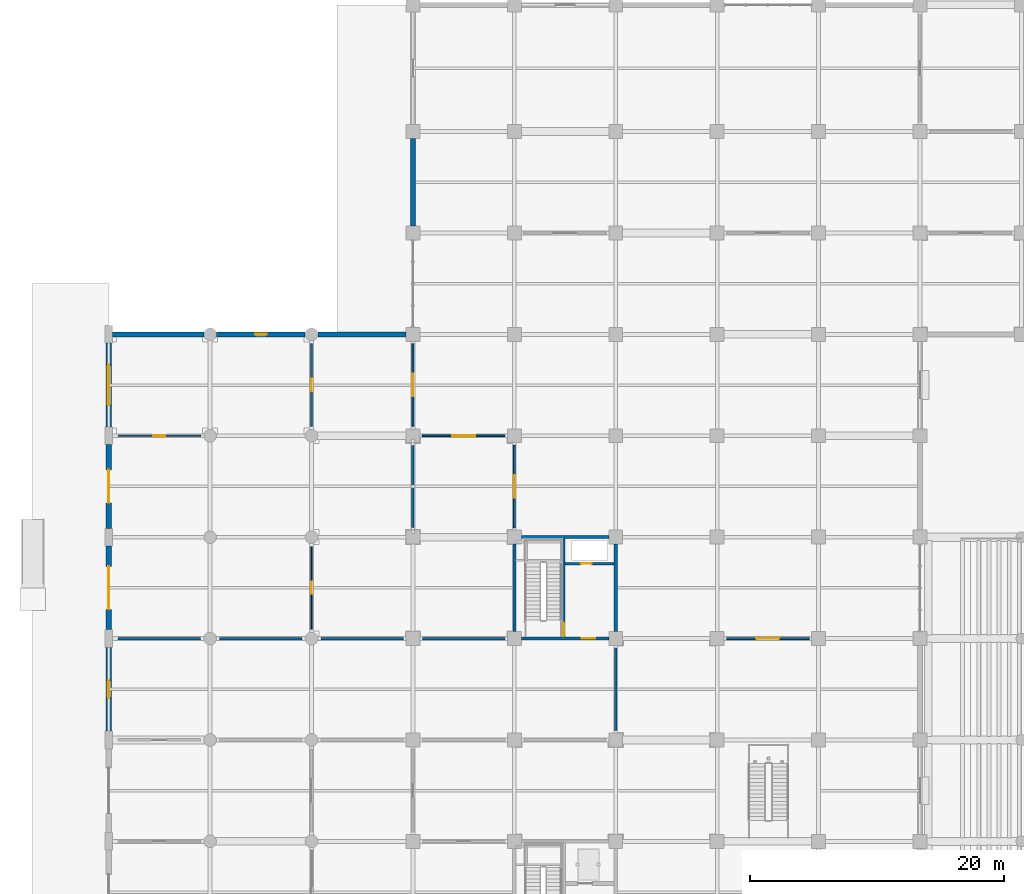
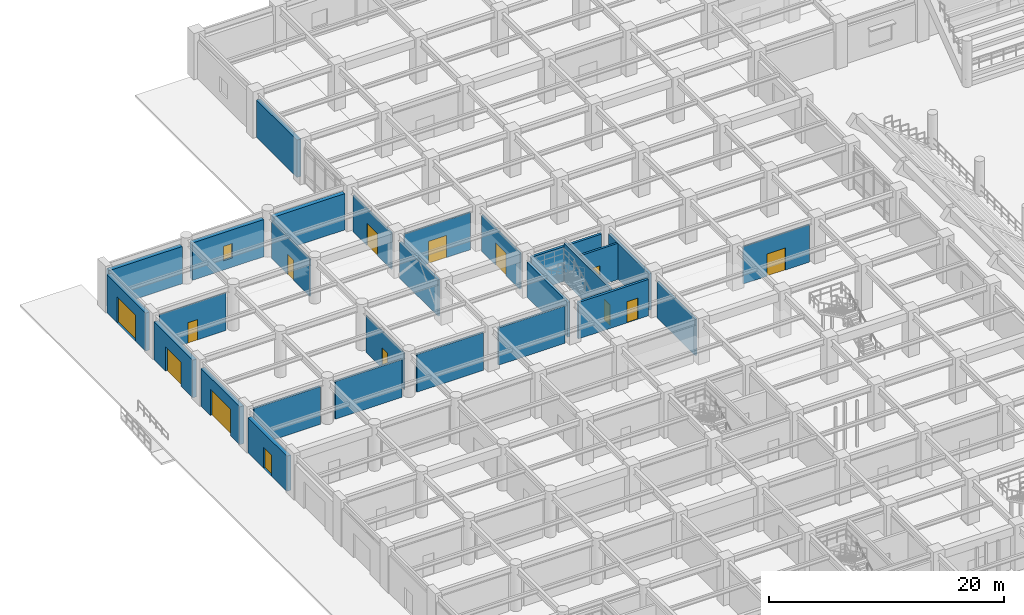
# One storey, part 88 of 125: 27 walls, 14 doors, 1 window, 15 openings.
"""IFC4 building model written with IfcOpenShell, lengths in metres."""

from ifc_helpers import new_model, si_unit, direction, frame, frame_2d, origin, place, context, subcontext, project, spatial, rectangle, extrude, material, layer, layer_set, type_object, element, fill, save


model = new_model("IFC4")

# Units and contexts
model_context = context("Model", 3, precision=1e-05, world=origin(), true_north=direction((0.0, 1.0)))
body_context = subcontext(model_context, "Body", "Model", "MODEL_VIEW")
ifc_project = project(units=[si_unit("LENGTHUNIT", "METRE"), si_unit("AREAUNIT", "SQUARE_METRE"), si_unit("VOLUMEUNIT", "CUBIC_METRE"), si_unit("PLANEANGLEUNIT", "RADIAN"), si_unit("MASSUNIT", "GRAM", prefix="KILO")], contexts=[model_context])

# Site, building, storey
site_placement = place(None, origin())
site = spatial("IfcSite", under=ifc_project, at=site_placement, CompositionType="ELEMENT")
building_placement = place(site_placement, origin())
building = spatial("IfcBuilding", under=site, at=building_placement, Name="Haebicheon Civic Stadium", CompositionType="ELEMENT")
storey_placement = place(building_placement, origin())
storey = spatial("IfcBuildingStorey", under=building, at=storey_placement, Name="L01", CompositionType="ELEMENT", Elevation=0.0)

# Wall, opening, door
ifc_material_1 = material(Name="Concrete C40/50", Category="concrete")
ifc_layer_1 = layer(ifc_material_1, 0.239990234375, Name="Concrete C40/50")
ifc_layer_set_1 = layer_set([ifc_layer_1], Name="Concrete C40/50")
wall_type_1 = type_object("IfcWallType", Name="CW-SHR-240", PredefinedType="SHEAR", material=ifc_layer_set_1)
wall_1_placement = place(storey_placement, frame((32.550048828125, 128.0, 0.0), z_axis=(0.0, 0.0, 1.0), x_axis=(1.0, 0.0, 0.0)))
wall_1 = element("IfcWall", 1, at=wall_1_placement, inside=storey, type_object=wall_type_1, material=ifc_layer_set_1, Name="KC-05 L01 south core shear wall", PredefinedType="SHEAR", context=body_context, shape_type="SweptSolid", body=[
    extrude(rectangle(XDim=6.89990234375, YDim=0.239990234375, at=frame_2d((3.449951171875, 0.0))), origin(), (0.0, 0.0, 1.0), 3.77001953125),
])
opening_1_placement = place(wall_1_placement, frame((4.75, 0.0, 0.0)))
opening_1 = element("IfcOpeningElement", 2, at=opening_1_placement, cuts=wall_1, Name="Opening D-L01-KC-05-LOB", PredefinedType="OPENING", context=body_context, shape_type="SweptSolid", body=[
    extrude(rectangle(XDim=1.10009765625, YDim=2.199951171875, at=frame_2d((0.550048828125, 1.10009765625))), frame((0.0, 0.1298828125, 0.0), z_axis=(0.0, -1.0, 0.0), x_axis=(1.0, 0.0, 0.0)), (0.0, 0.0, 1.0), 0.260009765625),
])
ifc_material_2 = material(Name="Galvanised painted steel SM355", Category="steel")
door_type_1 = type_object("IfcDoorType", Name="ID-FD-1100", OperationType="NOTDEFINED", PredefinedType="DOOR", material=ifc_material_2)
door_1_placement = place(opening_1_placement, origin())
door_1 = element("IfcDoor", 3, at=door_1_placement, inside=storey, type_object=door_type_1, material=ifc_material_2, Name="L01 KC-05 lobby fire door", OperationType="SINGLE_SWING_LEFT", OverallHeight=2.199951171875, OverallWidth=1.10009765625, PredefinedType="DOOR", context=body_context, shape_type="SweptSolid", body=[
    extrude(rectangle(XDim=1.10009765625, YDim=2.199951171875, at=frame_2d((0.550048828125, 1.10009765625))), frame((0.0, 0.02490234375, 0.0), z_axis=(0.0, -1.0, 0.0), x_axis=(1.0, 0.0, 0.0)), (0.0, 0.0, 1.0), 0.050048828125),
])
fill(opening_1, door_1)

# Walls
for number, where, z_axis, x_axis, name in (
    (4, (32.550048828125, 136.0, 0.0), (0.0, 0.0, 1.0), (1.0, 0.0, 0.0), "KC-05 L01 north core shear wall"),
    (5, (32.0, 128.550048828125, 0.0), (0.0, 0.0, 1.0), (0.0, 1.0, 0.0), "KC-05 L01 west core shear wall"),
):
    element("IfcWall", number, at=place(storey_placement, frame(where, z_axis=z_axis, x_axis=x_axis)), inside=storey, type_object=wall_type_1, material=ifc_layer_set_1, Name=name, PredefinedType="SHEAR", context=body_context, shape_type="SweptSolid", body=[
        extrude(rectangle(XDim=6.89990234375, YDim=0.239990234375, at=frame_2d((3.449951171875, 0.0))), origin(), (0.0, 0.0, 1.0), 3.6201171875),
    ])
wall_2_placement = place(storey_placement, frame((40.0, 128.550048828125, 0.0), z_axis=(0.0, 0.0, 1.0), x_axis=(0.0, 1.0, 0.0)))
element("IfcWall", 6, at=wall_2_placement, inside=storey, type_object=wall_type_1, material=ifc_layer_set_1, Name="KC-05 L01 east core shear wall", PredefinedType="SHEAR", context=body_context, shape_type="SweptSolid", body=[
    extrude(rectangle(XDim=6.89990234375, YDim=0.239990234375, at=frame_2d((3.449951171875, 0.0))), origin(), (0.0, 0.0, 1.0), 3.77001953125),
])

# Wall, opening, door
wall_3_placement = place(storey_placement, frame((35.8798828125, 128.1201171875, 0.0), z_axis=(0.0, 0.0, 1.0), x_axis=(0.0, 1.0, 0.0)))
wall_3 = element("IfcWall", 7, at=wall_3_placement, inside=storey, type_object=wall_type_1, material=ifc_layer_set_1, Name="KC-05 L01 stair-lobby dividing shear wall", PredefinedType="SHEAR", context=body_context, shape_type="SweptSolid", body=[
    extrude(rectangle(XDim=7.759765625, YDim=0.239990234375, at=frame_2d((3.8798828125, 0.0))), origin(), (0.0, 0.0, 1.0), 3.969970703125),
])
opening_2_placement = place(wall_3_placement, frame((0.080078125, 0.0, 0.0)))
opening_2 = element("IfcOpeningElement", 8, at=opening_2_placement, cuts=wall_3, Name="Opening D-L01-KC-05-STR", PredefinedType="OPENING", context=body_context, shape_type="SweptSolid", body=[
    extrude(rectangle(XDim=1.050048828125, YDim=2.14990234375, at=frame_2d((0.52490234375, 1.074951171875))), frame((0.0, 0.1298828125, 0.0), z_axis=(0.0, -1.0, 0.0), x_axis=(1.0, 0.0, 0.0)), (0.0, 0.0, 1.0), 0.260009765625),
])
ifc_material_3 = material(Name="Galvanised painted steel SM355", Category="steel")
door_type_2 = type_object("IfcDoorType", Name="ID-FD-1050", OperationType="NOTDEFINED", PredefinedType="DOOR", material=ifc_material_3)
door_2_placement = place(opening_2_placement, origin())
door_2 = element("IfcDoor", 9, at=door_2_placement, inside=storey, type_object=door_type_2, material=ifc_material_3, Name="L01 ST-05 stairwell escape door", OperationType="SINGLE_SWING_RIGHT", OverallHeight=2.14990234375, OverallWidth=1.050048828125, PredefinedType="DOOR", context=body_context, shape_type="SweptSolid", body=[
    extrude(rectangle(XDim=1.050048828125, YDim=2.14990234375, at=frame_2d((0.52490234375, 1.074951171875))), frame((0.0, 0.02490234375, 0.0), z_axis=(0.0, -1.0, 0.0), x_axis=(1.0, 0.0, 0.0)), (0.0, 0.0, 1.0), 0.050048828125),
])
fill(opening_2, door_2)

ifc_material_4 = material(Name="Concrete C40/50", Category="concrete")
ifc_layer_2 = layer(ifc_material_4, 0.39990234375, Name="Concrete C40/50")
ifc_layer_set_2 = layer_set([ifc_layer_2], Name="Concrete C40/50")
wall_type_2 = type_object("IfcWallType", Name="EW-BM-400", PredefinedType="SOLIDWALL", material=ifc_layer_set_2)
wall_4_placement = place(storey_placement, frame((0.0, 120.699951171875, 0.0), z_axis=(0.0, 0.0, 1.0), x_axis=(0.0, 1.0, 0.0)))
wall_4 = element("IfcWall", 10, at=wall_4_placement, inside=storey, type_object=wall_type_2, material=ifc_layer_set_2, Name="L01 board-marked concrete facade wall 00-15-W", PredefinedType="SOLIDWALL", context=body_context, shape_type="SweptSolid", body=[
    extrude(rectangle(XDim=6.60009765625, YDim=0.39990234375, at=frame_2d((3.300048828125, 0.0))), origin(), (0.0, 0.0, 1.0), 3.659912109375),
])
opening_3_placement = place(wall_4_placement, frame((2.60009765625, 0.0, 0.0)))
opening_3 = element("IfcOpeningElement", 11, at=opening_3_placement, cuts=wall_4, Name="Opening DX02", PredefinedType="OPENING", context=body_context, shape_type="SweptSolid", body=[
    extrude(rectangle(XDim=1.39990234375, YDim=2.199951171875, at=frame_2d((0.699951171875, 1.10009765625))), frame((0.0, 0.2099609375, 0.0), z_axis=(0.0, -1.0, 0.0), x_axis=(1.0, 0.0, 0.0)), (0.0, 0.0, 1.0), 0.419921875),
])
ifc_material_5 = material(Name="Galvanised painted steel SM355", Category="steel")
door_type_3 = type_object("IfcDoorType", Name="ED-EXIT-1400", OperationType="NOTDEFINED", PredefinedType="DOOR", material=ifc_material_5)
door_3_placement = place(opening_3_placement, origin())
door_3 = element("IfcDoor", 12, at=door_3_placement, inside=storey, type_object=door_type_3, material=ifc_material_5, Name="Protected exit passage final exit door DX02", OperationType="SINGLE_SWING_LEFT", OverallHeight=2.199951171875, OverallWidth=1.39990234375, PredefinedType="DOOR", context=body_context, shape_type="SweptSolid", body=[
    extrude(rectangle(XDim=1.39990234375, YDim=2.199951171875, at=frame_2d((0.699951171875, 1.10009765625))), frame((0.0, 0.02490234375, 0.0), z_axis=(0.0, -1.0, 0.0), x_axis=(1.0, 0.0, 0.0)), (0.0, 0.0, 1.0), 0.050048828125),
])
fill(opening_3, door_3)

wall_5_placement = place(storey_placement, frame((0.0, 128.699951171875, 0.0), z_axis=(0.0, 0.0, 1.0), x_axis=(0.0, 1.0, 0.0)))
wall_5 = element("IfcWall", 13, at=wall_5_placement, inside=storey, type_object=wall_type_2, material=ifc_layer_set_2, Name="L01 board-marked concrete facade wall 00-16-W", PredefinedType="SOLIDWALL", context=body_context, shape_type="SweptSolid", body=[
    extrude(rectangle(XDim=6.60009765625, YDim=0.39990234375, at=frame_2d((3.300048828125, 0.0))), origin(), (0.0, 0.0, 1.0), 3.909912109375),
])
opening_4_placement = place(wall_5_placement, frame((1.60009765625, 0.0, 0.0)))
opening_4 = element("IfcOpeningElement", 14, at=opening_4_placement, cuts=wall_5, Name="Opening E04", PredefinedType="OPENING", context=body_context, shape_type="SweptSolid", body=[
    extrude(rectangle(XDim=3.39990234375, YDim=2.75, at=frame_2d((1.699951171875, 1.375))), frame((0.0, 0.2099609375, 0.0), z_axis=(0.0, -1.0, 0.0), x_axis=(1.0, 0.0, 0.0)), (0.0, 0.0, 1.0), 0.419921875),
])
ifc_material_6 = material(Name="Anodised aluminium and laminated glass", Category="aluminium")
door_type_4 = type_object("IfcDoorType", Name="ED-MAIN-3400", OperationType="NOTDEFINED", PredefinedType="DOOR", material=ifc_material_6)
door_4_placement = place(opening_4_placement, origin())
door_4 = element("IfcDoor", 15, at=door_4_placement, inside=storey, type_object=door_type_4, material=ifc_material_6, Name="Main entrance E4", OperationType="DOUBLE_SWING_LEFT", OverallHeight=2.75, OverallWidth=3.39990234375, PredefinedType="DOOR", context=body_context, shape_type="SweptSolid", body=[
    extrude(rectangle(XDim=3.39990234375, YDim=2.75, at=frame_2d((1.699951171875, 1.375))), frame((0.0, 0.02490234375, 0.0), z_axis=(0.0, -1.0, 0.0), x_axis=(1.0, 0.0, 0.0)), (0.0, 0.0, 1.0), 0.050048828125),
])
fill(opening_4, door_4)

wall_6_placement = place(storey_placement, frame((0.0, 136.699951171875, 0.0), z_axis=(0.0, 0.0, 1.0), x_axis=(0.0, 1.0, 0.0)))
wall_6 = element("IfcWall", 16, at=wall_6_placement, inside=storey, type_object=wall_type_2, material=ifc_layer_set_2, Name="L01 board-marked concrete facade wall 00-17-W", PredefinedType="SOLIDWALL", context=body_context, shape_type="SweptSolid", body=[
    extrude(rectangle(XDim=6.60009765625, YDim=0.39990234375, at=frame_2d((3.300048828125, 0.0))), origin(), (0.0, 0.0, 1.0), 3.909912109375),
])
opening_5_placement = place(wall_6_placement, frame((2.0, 0.0, 0.0)))
opening_5 = element("IfcOpeningElement", 17, at=opening_5_placement, cuts=wall_6, Name="Opening G04", PredefinedType="OPENING", context=body_context, shape_type="SweptSolid", body=[
    extrude(rectangle(XDim=2.60009765625, YDim=2.5, at=frame_2d((1.300048828125, 1.25))), frame((0.0, 0.2099609375, 0.0), z_axis=(0.0, -1.0, 0.0), x_axis=(1.0, 0.0, 0.0)), (0.0, 0.0, 1.0), 0.419921875),
])
ifc_material_7 = material(Name="Anodised aluminium 6063-T6", Category="aluminium")
door_type_5 = type_object("IfcDoorType", Name="ED-GATE-2600", OperationType="NOTDEFINED", PredefinedType="DOOR", material=ifc_material_7)
door_5_placement = place(opening_5_placement, origin())
door_5 = element("IfcDoor", 18, at=door_5_placement, inside=storey, type_object=door_type_5, material=ifc_material_7, Name="Pedestrian exit gate G4", OperationType="DOUBLE_SWING_LEFT", OverallHeight=2.5, OverallWidth=2.60009765625, PredefinedType="DOOR", context=body_context, shape_type="SweptSolid", body=[
    extrude(rectangle(XDim=2.60009765625, YDim=2.5, at=frame_2d((1.300048828125, 1.25))), frame((0.0, 0.02490234375, 0.0), z_axis=(0.0, -1.0, 0.0), x_axis=(1.0, 0.0, 0.0)), (0.0, 0.0, 1.0), 0.050048828125),
])
fill(opening_5, door_5)

# Wall
wall_7_placement = place(storey_placement, frame((0.300048828125, 152.0, 0.0), z_axis=(0.0, 0.0, 1.0), x_axis=(1.0, 0.0, 0.0)))
element("IfcWall", 19, at=wall_7_placement, inside=storey, type_object=wall_type_2, material=ifc_layer_set_2, Name="L01 board-marked concrete facade wall 00-19-N", PredefinedType="SOLIDWALL", context=body_context, shape_type="SweptSolid", body=[
    extrude(rectangle(XDim=7.199951171875, YDim=0.39990234375, at=frame_2d((3.60009765625, 0.0))), origin(), (0.0, 0.0, 1.0), 3.8701171875),
])

# Wall, opening, door
wall_8_placement = place(storey_placement, frame((0.0, 144.699951171875, 0.0), z_axis=(0.0, 0.0, 1.0), x_axis=(0.0, 1.0, 0.0)))
wall_8 = element("IfcWall", 20, at=wall_8_placement, inside=storey, type_object=wall_type_2, material=ifc_layer_set_2, Name="L01 board-marked concrete facade wall 00-18-W", PredefinedType="SOLIDWALL", context=body_context, shape_type="SweptSolid", body=[
    extrude(rectangle(XDim=6.60009765625, YDim=0.39990234375, at=frame_2d((3.300048828125, 0.0))), origin(), (0.0, 0.0, 1.0), 3.949951171875),
])
opening_6_placement = place(wall_8_placement, frame((1.699951171875, 0.0, 0.0)))
opening_6 = element("IfcOpeningElement", 21, at=opening_6_placement, cuts=wall_8, Name="Opening E05", PredefinedType="OPENING", context=body_context, shape_type="SweptSolid", body=[
    extrude(rectangle(XDim=3.199951171875, YDim=2.699951171875, at=frame_2d((1.60009765625, 1.35009765625))), frame((0.0, 0.2099609375, 0.0), z_axis=(0.0, -1.0, 0.0), x_axis=(1.0, 0.0, 0.0)), (0.0, 0.0, 1.0), 0.419921875),
])
ifc_material_8 = material(Name="Anodised aluminium and laminated glass", Category="aluminium")
door_type_6 = type_object("IfcDoorType", Name="ED-MAIN-3200", OperationType="NOTDEFINED", PredefinedType="DOOR", material=ifc_material_8)
door_6_placement = place(opening_6_placement, origin())
door_6 = element("IfcDoor", 22, at=door_6_placement, inside=storey, type_object=door_type_6, material=ifc_material_8, Name="Main entrance E5", OperationType="DOUBLE_SWING_LEFT", OverallHeight=2.699951171875, OverallWidth=3.199951171875, PredefinedType="DOOR", context=body_context, shape_type="SweptSolid", body=[
    extrude(rectangle(XDim=3.199951171875, YDim=2.699951171875, at=frame_2d((1.60009765625, 1.35009765625))), frame((0.0, 0.02490234375, 0.0), z_axis=(0.0, -1.0, 0.0), x_axis=(1.0, 0.0, 0.0)), (0.0, 0.0, 1.0), 0.050048828125),
])
fill(opening_6, door_6)

# Wall, opening, window
wall_9_placement = place(storey_placement, frame((8.5, 152.0, 0.0), z_axis=(0.0, 0.0, 1.0), x_axis=(1.0, 0.0, 0.0)))
wall_9 = element("IfcWall", 23, at=wall_9_placement, inside=storey, type_object=wall_type_2, material=ifc_layer_set_2, Name="L01 board-marked concrete facade wall 01-19-N", PredefinedType="SOLIDWALL", context=body_context, shape_type="SweptSolid", body=[
    extrude(rectangle(XDim=7.0, YDim=0.39990234375, at=frame_2d((3.5, 0.0))), origin(), (0.0, 0.0, 1.0), 3.8701171875),
])
opening_7_placement = place(wall_9_placement, frame((3.050048828125, 0.0, 0.949951171875)))
opening_7 = element("IfcOpeningElement", 24, at=opening_7_placement, cuts=wall_9, Name="Opening WIN-090x150", PredefinedType="OPENING", context=body_context, shape_type="SweptSolid", body=[
    extrude(rectangle(XDim=0.89990234375, YDim=1.5, at=frame_2d((0.449951171875, 0.75))), frame((0.0, 0.2099609375, 0.0), z_axis=(0.0, -1.0, 0.0), x_axis=(1.0, 0.0, 0.0)), (0.0, 0.0, 1.0), 0.419921875),
])
ifc_material_9 = material(Name="Anodised aluminium and laminated glass", Category="aluminium")
window_type = type_object("IfcWindowType", Name="WIN-090x150", PartitioningType="SINGLE_PANEL", PredefinedType="WINDOW", material=ifc_material_9)
window_placement = place(opening_7_placement, origin())
window = element("IfcWindow", 25, at=window_placement, inside=storey, type_object=window_type, material=ifc_material_9, Name="L01 facade window 001", OverallHeight=1.5, OverallWidth=0.89990234375, PartitioningType="SINGLE_PANEL", PredefinedType="WINDOW", context=body_context, shape_type="SweptSolid", body=[
    extrude(rectangle(XDim=0.89990234375, YDim=1.5, at=frame_2d((0.449951171875, 0.75))), frame((0.0, 0.030029296875, 0.0), z_axis=(0.0, -1.0, 0.0), x_axis=(1.0, 0.0, 0.0)), (0.0, 0.0, 1.0), 0.06005859375),
])
fill(opening_7, window)

# Walls
wall_10_placement = place(storey_placement, frame((16.5, 152.0, 0.0), z_axis=(0.0, 0.0, 1.0), x_axis=(1.0, 0.0, 0.0)))
element("IfcWall", 26, at=wall_10_placement, inside=storey, type_object=wall_type_2, material=ifc_layer_set_2, Name="L01 board-marked concrete facade wall 02-19-N", PredefinedType="SOLIDWALL", context=body_context, shape_type="SweptSolid", body=[
    extrude(rectangle(XDim=6.949951171875, YDim=0.39990234375, at=frame_2d((3.47509765625, 0.0))), origin(), (0.0, 0.0, 1.0), 3.77001953125),
])
wall_11_placement = place(storey_placement, frame((24.0, 160.550048828125, 0.0), z_axis=(0.0, 0.0, 1.0), x_axis=(0.0, 1.0, 0.0)))
element("IfcWall", 27, at=wall_11_placement, inside=storey, type_object=wall_type_2, material=ifc_layer_set_2, Name="L01 board-marked concrete facade wall 03-20-W", PredefinedType="SOLIDWALL", context=body_context, shape_type="SweptSolid", body=[
    extrude(rectangle(XDim=6.89990234375, YDim=0.39990234375, at=frame_2d((3.449951171875, 0.0))), origin(), (0.0, 0.0, 1.0), 3.8701171875),
])

# Wall, opening, door
ifc_material_10 = material(Name="Concrete C35/45", Category="concrete")
ifc_layer_3 = layer(ifc_material_10, 0.199951171875, Name="Concrete C35/45")
ifc_layer_set_3 = layer_set([ifc_layer_3], Name="Concrete C35/45")
wall_type_3 = type_object("IfcWallType", Name="IW-FIR-200", PredefinedType="PARTITIONING", material=ifc_layer_set_3)
wall_12_placement = place(storey_placement, frame((36.0, 133.919921875, 0.0), z_axis=(0.0, 0.0, 1.0), x_axis=(1.0, 0.0, 0.0)))
wall_12 = element("IfcWall", 28, at=wall_12_placement, inside=storey, type_object=wall_type_3, material=ifc_layer_set_3, Name="KC-05 L01 service riser wall", PredefinedType="PARTITIONING", context=body_context, shape_type="SweptSolid", body=[
    extrude(rectangle(XDim=3.8798828125, YDim=0.199951171875, at=frame_2d((1.93994140625, 0.0))), origin(), (0.0, 0.0, 1.0), 3.77001953125),
])
opening_8_placement = place(wall_12_placement, frame((1.25, 0.0, 0.0)))
opening_8 = element("IfcOpeningElement", 29, at=opening_8_placement, cuts=wall_12, Name="Opening D-L01-KC-05-RSR", PredefinedType="OPENING", context=body_context, shape_type="SweptSolid", body=[
    extrude(rectangle(XDim=0.85009765625, YDim=2.050048828125, at=frame_2d((0.425048828125, 1.02490234375))), frame((0.0, 0.10986328125, 0.0), z_axis=(0.0, -1.0, 0.0), x_axis=(1.0, 0.0, 0.0)), (0.0, 0.0, 1.0), 0.219970703125),
])
ifc_material_11 = material(Name="Galvanised painted steel SM355", Category="steel")
door_type_7 = type_object("IfcDoorType", Name="ID-RSR-0850", OperationType="NOTDEFINED", PredefinedType="TRAPDOOR", material=ifc_material_11)
door_7_placement = place(opening_8_placement, origin())
door_7 = element("IfcDoor", 30, at=door_7_placement, inside=storey, type_object=door_type_7, material=ifc_material_11, Name="L01 KC-05 riser access door", OperationType="SINGLE_SWING_LEFT", OverallHeight=2.050048828125, OverallWidth=0.85009765625, PredefinedType="TRAPDOOR", context=body_context, shape_type="SweptSolid", body=[
    extrude(rectangle(XDim=0.85009765625, YDim=2.050048828125, at=frame_2d((0.425048828125, 1.02490234375))), frame((0.0, 0.02490234375, 0.0), z_axis=(0.0, -1.0, 0.0), x_axis=(1.0, 0.0, 0.0)), (0.0, 0.0, 1.0), 0.050048828125),
])
fill(opening_8, door_7)

# Walls
wall_13_placement = place(storey_placement, frame((24.0, 136.75, 0.0), z_axis=(0.0, 0.0, 1.0), x_axis=(0.0, 1.0, 0.0)))
element("IfcWall", 31, at=wall_13_placement, inside=storey, type_object=wall_type_3, material=ifc_layer_set_3, Name="L01 braced-frame solid fire wall 03-17", PredefinedType="PARTITIONING", context=body_context, shape_type="SweptSolid", body=[
    extrude(rectangle(XDim=6.5, YDim=0.199951171875, at=frame_2d((3.25, 0.0))), origin(), (0.0, 0.0, 1.0), 3.77001953125),
])
for number, where, z_axis, x_axis, name in (
    (32, (0.75, 128.0, 0.0), (0.0, 0.0, 1.0), (1.0, 0.0, 0.0), "L01 KC-05 protected exit passage EI 120 wall 02"),
    (33, (8.75, 128.0, 0.0), (0.0, 0.0, 1.0), (1.0, 0.0, 0.0), "L01 KC-05 protected exit passage EI 120 wall 04"),
    (34, (16.75, 128.0, 0.0), (0.0, 0.0, 1.0), (1.0, 0.0, 0.0), "L01 KC-05 protected exit passage EI 120 wall 06"),
):
    element("IfcWall", number, at=place(storey_placement, frame(where, z_axis=z_axis, x_axis=x_axis)), inside=storey, type_object=wall_type_3, material=ifc_layer_set_3, Name=name, PredefinedType="PARTITIONING", context=body_context, shape_type="SweptSolid", body=[
        extrude(rectangle(XDim=6.5, YDim=0.199951171875, at=frame_2d((3.25, 0.0))), origin(), (0.0, 0.0, 1.0), 3.909912109375),
    ])
wall_14_placement = place(storey_placement, frame((24.75, 128.0, 0.0), z_axis=(0.0, 0.0, 1.0), x_axis=(1.0, 0.0, 0.0)))
element("IfcWall", 35, at=wall_14_placement, inside=storey, type_object=wall_type_3, material=ifc_layer_set_3, Name="L01 KC-05 protected exit passage EI 120 wall 08", PredefinedType="PARTITIONING", context=body_context, shape_type="SweptSolid", body=[
    extrude(rectangle(XDim=6.5, YDim=0.199951171875, at=frame_2d((3.25, 0.0))), origin(), (0.0, 0.0, 1.0), 3.8701171875),
])
wall_15_placement = place(storey_placement, frame((40.0, 120.75, 0.0), z_axis=(0.0, 0.0, 1.0), x_axis=(0.0, 1.0, 0.0)))
element("IfcWall", 36, at=wall_15_placement, inside=storey, type_object=wall_type_3, material=ifc_layer_set_3, Name="L01 KC-05 protected exit passage EI 120 wall 09", PredefinedType="PARTITIONING", context=body_context, shape_type="SweptSolid", body=[
    extrude(rectangle(XDim=6.5, YDim=0.199951171875, at=frame_2d((3.25, 0.0))), origin(), (0.0, 0.0, 1.0), 3.77001953125),
])

# Wall, opening, door
ifc_material_12 = material(Name="Anodised aluminium and laminated glass", Category="aluminium")
ifc_layer_4 = layer(ifc_material_12, 0.10009765625, Name="Anodised aluminium and laminated glass")
ifc_layer_set_4 = layer_set([ifc_layer_4], Name="Anodised aluminium and laminated glass")
wall_type_4 = type_object("IfcWallType", Name="IW-PRT-100", PredefinedType="PARTITIONING", material=ifc_layer_set_4)
wall_16_placement = place(storey_placement, frame((0.75, 144.0, 0.0), z_axis=(0.0, 0.0, 1.0), x_axis=(1.0, 0.0, 0.0)))
wall_16 = element("IfcWall", 37, at=wall_16_placement, inside=storey, type_object=wall_type_4, material=ifc_layer_set_4, Name="L01 Club Megastore partition wall", PredefinedType="PARTITIONING", context=body_context, shape_type="SweptSolid", body=[
    extrude(rectangle(XDim=6.5, YDim=0.10009765625, at=frame_2d((3.25, 0.0))), origin(), (0.0, 0.0, 1.0), 3.909912109375),
])
opening_9_placement = place(wall_16_placement, frame((2.77490234375, 0.0, 0.0)))
opening_9 = element("IfcOpeningElement", 38, at=opening_9_placement, cuts=wall_16, Name="Opening D-L01-171", PredefinedType="OPENING", context=body_context, shape_type="SweptSolid", body=[
    extrude(rectangle(XDim=0.949951171875, YDim=2.10009765625, at=frame_2d((0.47509765625, 1.050048828125))), frame((0.0, 0.06005859375, 0.0), z_axis=(0.0, -1.0, 0.0), x_axis=(1.0, 0.0, 0.0)), (0.0, 0.0, 1.0), 0.1201171875),
])
ifc_material_13 = material(Name="Engineered hardwood timber", Category="wood")
door_type_8 = type_object("IfcDoorType", Name="ID-RM-0950", OperationType="NOTDEFINED", PredefinedType="DOOR", material=ifc_material_13)
door_8_placement = place(opening_9_placement, origin())
door_8 = element("IfcDoor", 39, at=door_8_placement, inside=storey, type_object=door_type_8, material=ifc_material_13, Name="L01 Club Megastore entrance door D-L01-171", OperationType="SINGLE_SWING_RIGHT", OverallHeight=2.10009765625, OverallWidth=0.949951171875, PredefinedType="DOOR", context=body_context, shape_type="SweptSolid", body=[
    extrude(rectangle(XDim=0.949951171875, YDim=2.10009765625, at=frame_2d((0.47509765625, 1.050048828125))), frame((0.0, 0.02490234375, 0.0), z_axis=(0.0, -1.0, 0.0), x_axis=(1.0, 0.0, 0.0)), (0.0, 0.0, 1.0), 0.050048828125),
])
fill(opening_9, door_8)

wall_17_placement = place(storey_placement, frame((16.0, 128.75, 0.0), z_axis=(0.0, 0.0, 1.0), x_axis=(0.0, 1.0, 0.0)))
wall_17 = element("IfcWall", 40, at=wall_17_placement, inside=storey, type_object=wall_type_4, material=ifc_layer_set_4, Name="L01 Supporters' Cafe partition wall", PredefinedType="PARTITIONING", context=body_context, shape_type="SweptSolid", body=[
    extrude(rectangle(XDim=6.5, YDim=0.10009765625, at=frame_2d((3.25, 0.0))), origin(), (0.0, 0.0, 1.0), 3.81005859375),
])
opening_10_placement = place(wall_17_placement, frame((2.77490234375, 0.0, 0.0)))
opening_10 = element("IfcOpeningElement", 41, at=opening_10_placement, cuts=wall_17, Name="Opening D-L01-177", PredefinedType="OPENING", context=body_context, shape_type="SweptSolid", body=[
    extrude(rectangle(XDim=0.949951171875, YDim=2.10009765625, at=frame_2d((0.47509765625, 1.050048828125))), frame((0.0, 0.06005859375, 0.0), z_axis=(0.0, -1.0, 0.0), x_axis=(1.0, 0.0, 0.0)), (0.0, 0.0, 1.0), 0.1201171875),
])
door_9_placement = place(opening_10_placement, origin())
door_9 = element("IfcDoor", 42, at=door_9_placement, inside=storey, type_object=door_type_8, material=ifc_material_13, Name="L01 Supporters' Cafe entrance door D-L01-177", OperationType="SINGLE_SWING_LEFT", OverallHeight=2.10009765625, OverallWidth=0.949951171875, PredefinedType="DOOR", context=body_context, shape_type="SweptSolid", body=[
    extrude(rectangle(XDim=0.949951171875, YDim=2.10009765625, at=frame_2d((0.47509765625, 1.050048828125))), frame((0.0, 0.02490234375, 0.0), z_axis=(0.0, -1.0, 0.0), x_axis=(1.0, 0.0, 0.0)), (0.0, 0.0, 1.0), 0.050048828125),
])
fill(opening_10, door_9)

ifc_material_14 = material(Name="Gypsum plasterboard on steel studs", Category="gypsum")
ifc_layer_5 = layer(ifc_material_14, 0.1298828125, Name="Gypsum plasterboard on steel studs")
ifc_layer_set_5 = layer_set([ifc_layer_5], Name="Gypsum plasterboard on steel studs")
wall_type_5 = type_object("IfcWallType", Name="IW-PRT-130", PredefinedType="PARTITIONING", material=ifc_layer_set_5)
wall_18_placement = place(storey_placement, frame((16.0, 144.75, 0.0), z_axis=(0.0, 0.0, 1.0), x_axis=(0.0, 1.0, 0.0)))
wall_18 = element("IfcWall", 43, at=wall_18_placement, inside=storey, type_object=wall_type_5, material=ifc_layer_set_5, Name="L01 Civic Sports Exhibition Gallery partition wall", PredefinedType="PARTITIONING", context=body_context, shape_type="SweptSolid", body=[
    extrude(rectangle(XDim=6.5, YDim=0.1298828125, at=frame_2d((3.25, 0.0))), origin(), (0.0, 0.0, 1.0), 3.8701171875),
])
opening_11_placement = place(wall_18_placement, frame((2.75, 0.0, 0.0)))
opening_11 = element("IfcOpeningElement", 44, at=opening_11_placement, cuts=wall_18, Name="Opening D-L01-172", PredefinedType="OPENING", context=body_context, shape_type="SweptSolid", body=[
    extrude(rectangle(XDim=1.0, YDim=2.10009765625, at=frame_2d((0.5, 1.050048828125))), frame((0.0, 0.074951171875, 0.0), z_axis=(0.0, -1.0, 0.0), x_axis=(1.0, 0.0, 0.0)), (0.0, 0.0, 1.0), 0.14990234375),
])
ifc_material_15 = material(Name="Engineered hardwood timber", Category="wood")
door_type_9 = type_object("IfcDoorType", Name="ID-RM-1000", OperationType="NOTDEFINED", PredefinedType="DOOR", material=ifc_material_15)
door_10_placement = place(opening_11_placement, origin())
door_10 = element("IfcDoor", 45, at=door_10_placement, inside=storey, type_object=door_type_9, material=ifc_material_15, Name="L01 Civic Sports Exhibition Gallery entrance door D-L01-172", OperationType="SINGLE_SWING_LEFT", OverallHeight=2.10009765625, OverallWidth=1.0, PredefinedType="DOOR", context=body_context, shape_type="SweptSolid", body=[
    extrude(rectangle(XDim=1.0, YDim=2.10009765625, at=frame_2d((0.5, 1.050048828125))), frame((0.0, 0.02490234375, 0.0), z_axis=(0.0, -1.0, 0.0), x_axis=(1.0, 0.0, 0.0)), (0.0, 0.0, 1.0), 0.050048828125),
])
fill(opening_11, door_10)

ifc_material_16 = material(Name="Gypsum plasterboard on steel studs", Category="gypsum")
ifc_layer_6 = layer(ifc_material_16, 0.14990234375, Name="Gypsum plasterboard on steel studs")
ifc_layer_set_6 = layer_set([ifc_layer_6], Name="Gypsum plasterboard on steel studs")
wall_type_6 = type_object("IfcWallType", Name="IW-PRT-150", PredefinedType="PARTITIONING", material=ifc_layer_set_6)
wall_19_placement = place(storey_placement, frame((24.75, 144.0, 0.0), z_axis=(0.0, 0.0, 1.0), x_axis=(1.0, 0.0, 0.0)))
wall_19 = element("IfcWall", 46, at=wall_19_placement, inside=storey, type_object=wall_type_6, material=ifc_layer_set_6, Name="L01 Mixed Zone Media Interview Hall partition wall", PredefinedType="PARTITIONING", context=body_context, shape_type="SweptSolid", body=[
    extrude(rectangle(XDim=6.5, YDim=0.14990234375, at=frame_2d((3.25, 0.0))), origin(), (0.0, 0.0, 1.0), 3.8701171875),
])
opening_12_placement = place(wall_19_placement, frame((2.35009765625, 0.0, 0.0)))
opening_12 = element("IfcOpeningElement", 47, at=opening_12_placement, cuts=wall_19, Name="Opening D-L01-116", PredefinedType="OPENING", context=body_context, shape_type="SweptSolid", body=[
    extrude(rectangle(XDim=1.800048828125, YDim=2.300048828125, at=frame_2d((0.89990234375, 1.14990234375))), frame((0.0, 0.0849609375, 0.0), z_axis=(0.0, -1.0, 0.0), x_axis=(1.0, 0.0, 0.0)), (0.0, 0.0, 1.0), 0.169921875),
])
ifc_material_17 = material(Name="Galvanised painted steel SM355", Category="steel")
door_type_10 = type_object("IfcDoorType", Name="ID-DBL-1800", OperationType="NOTDEFINED", PredefinedType="DOOR", material=ifc_material_17)
door_11_placement = place(opening_12_placement, origin())
door_11 = element("IfcDoor", 48, at=door_11_placement, inside=storey, type_object=door_type_10, material=ifc_material_17, Name="L01 Mixed Zone Media Interview Hall entrance door D-L01-116", OperationType="DOUBLE_SWING_LEFT", OverallHeight=2.300048828125, OverallWidth=1.800048828125, PredefinedType="DOOR", context=body_context, shape_type="SweptSolid", body=[
    extrude(rectangle(XDim=1.800048828125, YDim=2.300048828125, at=frame_2d((0.89990234375, 1.14990234375))), frame((0.0, 0.02490234375, 0.0), z_axis=(0.0, -1.0, 0.0), x_axis=(1.0, 0.0, 0.0)), (0.0, 0.0, 1.0), 0.050048828125),
])
fill(opening_12, door_11)

wall_20_placement = place(storey_placement, frame((32.0, 136.75, 0.0), z_axis=(0.0, 0.0, 1.0), x_axis=(0.0, 1.0, 0.0)))
wall_20 = element("IfcWall", 49, at=wall_20_placement, inside=storey, type_object=wall_type_6, material=ifc_layer_set_6, Name="L01 VIP Entrance Reception Hall partition wall", PredefinedType="PARTITIONING", context=body_context, shape_type="SweptSolid", body=[
    extrude(rectangle(XDim=6.5, YDim=0.14990234375, at=frame_2d((3.25, 0.0))), origin(), (0.0, 0.0, 1.0), 3.77001953125),
])
opening_13_placement = place(wall_20_placement, frame((2.35009765625, 0.0, 0.0)))
opening_13 = element("IfcOpeningElement", 50, at=opening_13_placement, cuts=wall_20, Name="Opening D-L01-121", PredefinedType="OPENING", context=body_context, shape_type="SweptSolid", body=[
    extrude(rectangle(XDim=1.800048828125, YDim=2.300048828125, at=frame_2d((0.89990234375, 1.14990234375))), frame((0.0, 0.0849609375, 0.0), z_axis=(0.0, -1.0, 0.0), x_axis=(1.0, 0.0, 0.0)), (0.0, 0.0, 1.0), 0.169921875),
])
door_12_placement = place(opening_13_placement, origin())
door_12 = element("IfcDoor", 51, at=door_12_placement, inside=storey, type_object=door_type_10, material=ifc_material_17, Name="L01 VIP Entrance Reception Hall entrance door D-L01-121", OperationType="DOUBLE_SWING_LEFT", OverallHeight=2.300048828125, OverallWidth=1.800048828125, PredefinedType="DOOR", context=body_context, shape_type="SweptSolid", body=[
    extrude(rectangle(XDim=1.800048828125, YDim=2.300048828125, at=frame_2d((0.89990234375, 1.14990234375))), frame((0.0, 0.02490234375, 0.0), z_axis=(0.0, -1.0, 0.0), x_axis=(1.0, 0.0, 0.0)), (0.0, 0.0, 1.0), 0.050048828125),
])
fill(opening_13, door_12)

wall_21_placement = place(storey_placement, frame((48.75, 128.0, 0.0), z_axis=(0.0, 0.0, 1.0), x_axis=(1.0, 0.0, 0.0)))
wall_21 = element("IfcWall", 52, at=wall_21_placement, inside=storey, type_object=wall_type_6, material=ifc_layer_set_6, Name="L01 VIP Entrance Reception Hall partition wall", PredefinedType="PARTITIONING", context=body_context, shape_type="SweptSolid", body=[
    extrude(rectangle(XDim=6.5, YDim=0.14990234375, at=frame_2d((3.25, 0.0))), origin(), (0.0, 0.0, 1.0), 3.8701171875),
])
opening_14_placement = place(wall_21_placement, frame((2.35009765625, 0.0, 0.0)))
opening_14 = element("IfcOpeningElement", 53, at=opening_14_placement, cuts=wall_21, Name="Opening D-L01-127", PredefinedType="OPENING", context=body_context, shape_type="SweptSolid", body=[
    extrude(rectangle(XDim=1.800048828125, YDim=2.300048828125, at=frame_2d((0.89990234375, 1.14990234375))), frame((0.0, 0.0849609375, 0.0), z_axis=(0.0, -1.0, 0.0), x_axis=(1.0, 0.0, 0.0)), (0.0, 0.0, 1.0), 0.169921875),
])
door_13_placement = place(opening_14_placement, origin())
door_13 = element("IfcDoor", 54, at=door_13_placement, inside=storey, type_object=door_type_10, material=ifc_material_17, Name="L01 VIP Entrance Reception Hall entrance door D-L01-127", OperationType="DOUBLE_SWING_LEFT", OverallHeight=2.300048828125, OverallWidth=1.800048828125, PredefinedType="DOOR", context=body_context, shape_type="SweptSolid", body=[
    extrude(rectangle(XDim=1.800048828125, YDim=2.300048828125, at=frame_2d((0.89990234375, 1.14990234375))), frame((0.0, 0.02490234375, 0.0), z_axis=(0.0, -1.0, 0.0), x_axis=(1.0, 0.0, 0.0)), (0.0, 0.0, 1.0), 0.050048828125),
])
fill(opening_14, door_13)

wall_22_placement = place(storey_placement, frame((24.0, 144.75, 0.0), z_axis=(0.0, 0.0, 1.0), x_axis=(0.0, 1.0, 0.0)))
wall_22 = element("IfcWall", 55, at=wall_22_placement, inside=storey, type_object=wall_type_6, material=ifc_layer_set_6, Name="L01 Ticketing Hall partition wall", PredefinedType="PARTITIONING", context=body_context, shape_type="SweptSolid", body=[
    extrude(rectangle(XDim=6.5, YDim=0.14990234375, at=frame_2d((3.25, 0.0))), origin(), (0.0, 0.0, 1.0), 3.77001953125),
])
opening_15_placement = place(wall_22_placement, frame((2.35009765625, 0.0, 0.0)))
opening_15 = element("IfcOpeningElement", 56, at=opening_15_placement, cuts=wall_22, Name="Opening D-L01-178", PredefinedType="OPENING", context=body_context, shape_type="SweptSolid", body=[
    extrude(rectangle(XDim=1.800048828125, YDim=2.300048828125, at=frame_2d((0.89990234375, 1.14990234375))), frame((0.0, 0.0849609375, 0.0), z_axis=(0.0, -1.0, 0.0), x_axis=(1.0, 0.0, 0.0)), (0.0, 0.0, 1.0), 0.169921875),
])
door_14_placement = place(opening_15_placement, origin())
door_14 = element("IfcDoor", 57, at=door_14_placement, inside=storey, type_object=door_type_10, material=ifc_material_17, Name="L01 Ticketing Hall entrance door D-L01-178", OperationType="DOUBLE_SWING_LEFT", OverallHeight=2.300048828125, OverallWidth=1.800048828125, PredefinedType="DOOR", context=body_context, shape_type="SweptSolid", body=[
    extrude(rectangle(XDim=1.800048828125, YDim=2.300048828125, at=frame_2d((0.89990234375, 1.14990234375))), frame((0.0, 0.02490234375, 0.0), z_axis=(0.0, -1.0, 0.0), x_axis=(1.0, 0.0, 0.0)), (0.0, 0.0, 1.0), 0.050048828125),
])
fill(opening_15, door_14)

save(model, "model.ifc")
